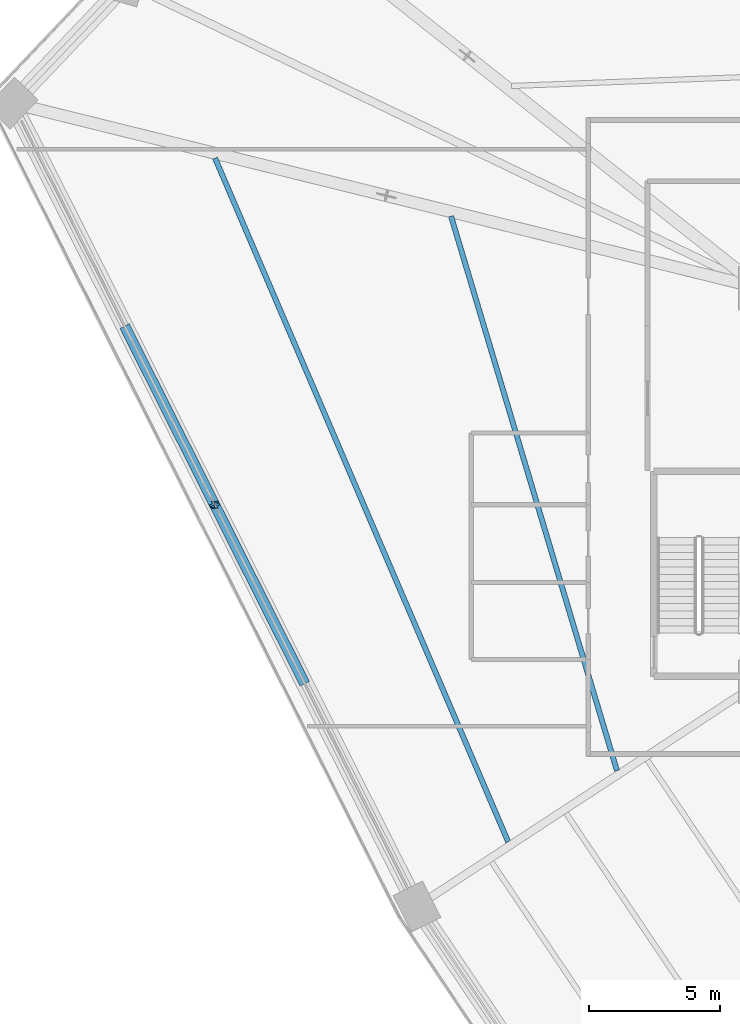
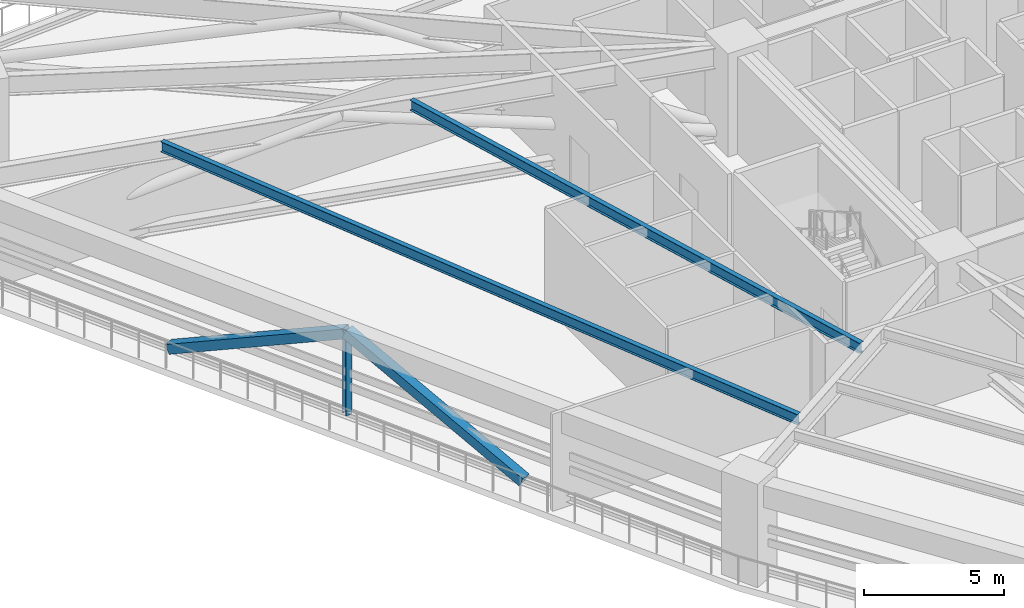
# One storey, part 6 of 25: 3 members, 2 beams.
"""IFC4 building model written with IfcOpenShell, lengths in metres."""

from ifc_helpers import new_model, si_unit, direction, frame, origin, origin_2d, place, context, subcontext, project, spatial, hollow_rectangle, i_section, extrude, source, transform, mapped, material, material_profile, profile_set, type_object, element, save


model = new_model("IFC4")

# Units and contexts
model_context = context("Model", 3, precision=1e-05, world=origin(), true_north=direction((0.0, 1.0)))
body_context = subcontext(model_context, "Body", "Model", "MODEL_VIEW")
ifc_project = project(units=[si_unit("LENGTHUNIT", "METRE"), si_unit("AREAUNIT", "SQUARE_METRE"), si_unit("VOLUMEUNIT", "CUBIC_METRE"), si_unit("PLANEANGLEUNIT", "RADIAN"), si_unit("MASSUNIT", "GRAM", prefix="KILO")], contexts=[model_context])

# Site, building, storey
site_placement = place(None, origin())
site = spatial("IfcSite", under=ifc_project, at=site_placement, CompositionType="ELEMENT")
building_placement = place(site_placement, origin())
building = spatial("IfcBuilding", under=site, at=building_placement, Name="Liaohun Quay Tower", CompositionType="ELEMENT")
storey_placement = place(building_placement, frame((0.0, 0.0, 93.0)))
storey = spatial("IfcBuildingStorey", under=building, at=storey_placement, Name="L24", CompositionType="ELEMENT", Elevation=93.0)

# Beams
ifc_material_1 = material(Name="Steel Q355D", Category="steel")
ifc_material_profile_1 = material_profile(ifc_material_1, i_section(OverallWidth=0.199951171875, OverallDepth=0.449951171875, WebThickness=0.009033203125, FlangeThickness=0.013916015625, at=origin_2d()), Name="HN450x200x9x14")
ifc_profile_set_1 = profile_set([ifc_material_profile_1], Name="Steel Q355D")
beam_type = type_object("IfcBeamType", Name="BM-SEC-J1", PredefinedType="JOIST", material=ifc_profile_set_1)
shared_shape_1 = source(origin(), body_context, "Body", "SweptSolid", [
    extrude(i_section(OverallWidth=0.199951171875, OverallDepth=0.449951171875, WebThickness=0.009033203125, FlangeThickness=0.013916015625, at=origin_2d()), origin(), (0.0, 0.0, 1.0), 22.0673828125),
])
beam_1_placement = place(storey_placement, frame((45.532958984375, 43.10400390625, 3.9951171875), z_axis=(-0.286665734171, 0.958030665925, 0.0), x_axis=(-0.958030665925, -0.286665734171, 0.0)))
element("IfcBeam", 1, at=beam_1_placement, inside=storey, type_object=beam_type, Name="L24 Wing Secondary Floor Joist SJ-04", PredefinedType="JOIST", context=body_context, shape_type="MappedRepresentation", body=[
    mapped(shared_shape_1, transform((0.0, 0.0, 0.0), x_axis=(1.0, 0.0, 0.0), y_axis=(0.0, 1.0, 0.0), z_axis=(0.0, 0.0, 1.0), scale=1.0)),
])
shared_shape_2 = source(origin(), body_context, "Body", "SweptSolid", [
    extrude(i_section(OverallWidth=0.199951171875, OverallDepth=0.449951171875, WebThickness=0.009033203125, FlangeThickness=0.013916015625, at=origin_2d()), origin(), (0.0, 0.0, 1.0), 28.360595703125),
])
beam_2_placement = place(storey_placement, frame((41.385986328125, 40.39208984375, 3.9951171875), z_axis=(-0.394136427515, 0.9190519444, 0.0), x_axis=(-0.9190519444, -0.394136427515, 0.0)))
element("IfcBeam", 2, at=beam_2_placement, inside=storey, type_object=beam_type, Name="L24 Wing Secondary Floor Joist SJ-05", PredefinedType="JOIST", context=body_context, shape_type="MappedRepresentation", body=[
    mapped(shared_shape_2, transform((0.0, 0.0, 0.0), x_axis=(1.0, 0.0, 0.0), y_axis=(0.0, 1.0, 0.0), z_axis=(0.0, 0.0, 1.0), scale=1.0)),
])

# Members
ifc_material_profile_2 = material_profile(ifc_material_1, i_section(OverallWidth=0.25, OverallDepth=0.25, WebThickness=0.009033203125, FlangeThickness=0.013916015625, at=origin_2d()), Name="HW250x250x9x14")
ifc_profile_set_2 = profile_set([ifc_material_profile_2], Name="Steel Q355D")
member_type_1 = type_object("IfcMemberType", Name="MEM-BLT-PST", PredefinedType="POST", material=ifc_profile_set_2)
shared_shape_3 = source(origin(), body_context, "Body", "SweptSolid", [
    extrude(i_section(OverallWidth=0.25, OverallDepth=0.25, WebThickness=0.009033203125, FlangeThickness=0.013916015625, at=origin_2d()), origin(), (0.0, 0.0, 1.0), 3.56982421875),
])
member_placement = place(storey_placement, frame((30.194091796875, 53.239990234375, 0.35009765625), z_axis=(0.0, 0.0, 1.0), x_axis=(1.0, 0.0, 0.0)))
element("IfcMember", 3, at=member_placement, inside=storey, type_object=member_type_1, Name="L24 Belt Truss Vertical Post BP-1-02", PredefinedType="POST", context=body_context, shape_type="MappedRepresentation", body=[
    mapped(shared_shape_3, transform((0.0, 0.0, 0.0), x_axis=(1.0, 0.0, 0.0), y_axis=(0.0, 1.0, 0.0), z_axis=(0.0, 0.0, 1.0), scale=1.0)),
])
ifc_material_2 = material(Name="Steel Q420D", Category="steel")
ifc_material_profile_3 = material_profile(ifc_material_2, hollow_rectangle(XDim=0.39990234375, YDim=0.39990234375, WallThickness=0.02001953125, at=origin_2d()), Name="SHS400x400x20")
ifc_profile_set_3 = profile_set([ifc_material_profile_3], Name="Steel Q420D")
member_type_2 = type_object("IfcMemberType", Name="MEM-BLT-DG1", PredefinedType="BRACE", material=ifc_profile_set_3)
shared_shape_4 = source(origin(), body_context, "Body", "SweptSolid", [
    extrude(hollow_rectangle(XDim=0.39990234375, YDim=0.39990234375, WallThickness=0.02001953125, at=origin_2d()), origin(), (0.0, 0.0, 1.0), 8.34765625),
])
for number, where, z_axis, x_axis, name in (
    (4, (33.589111328125, 46.5009765625, 0.35009765625), (-0.406701154274, 0.807289800188, 0.427641613533), (-0.893070699139, -0.449916354825, 0.0), "L24 Belt Truss Diagonal BD-02A"),
    (5, (30.194091796875, 53.239990234375, 3.919921875), (-0.406701154274, 0.807289800188, -0.427641613533), (-0.893070699139, -0.449916354825, 0.0), "L24 Belt Truss Diagonal BD-02B"),
):
    element("IfcMember", number, at=place(storey_placement, frame(where, z_axis=z_axis, x_axis=x_axis)), inside=storey, type_object=member_type_2, Name=name, PredefinedType="BRACE", context=body_context, shape_type="MappedRepresentation", body=[
        mapped(shared_shape_4, transform((0.0, 0.0, 0.0), x_axis=(1.0, 0.0, 0.0), y_axis=(0.0, 1.0, 0.0), z_axis=(0.0, 0.0, 1.0), scale=1.0)),
    ])

save(model, "model.ifc")
